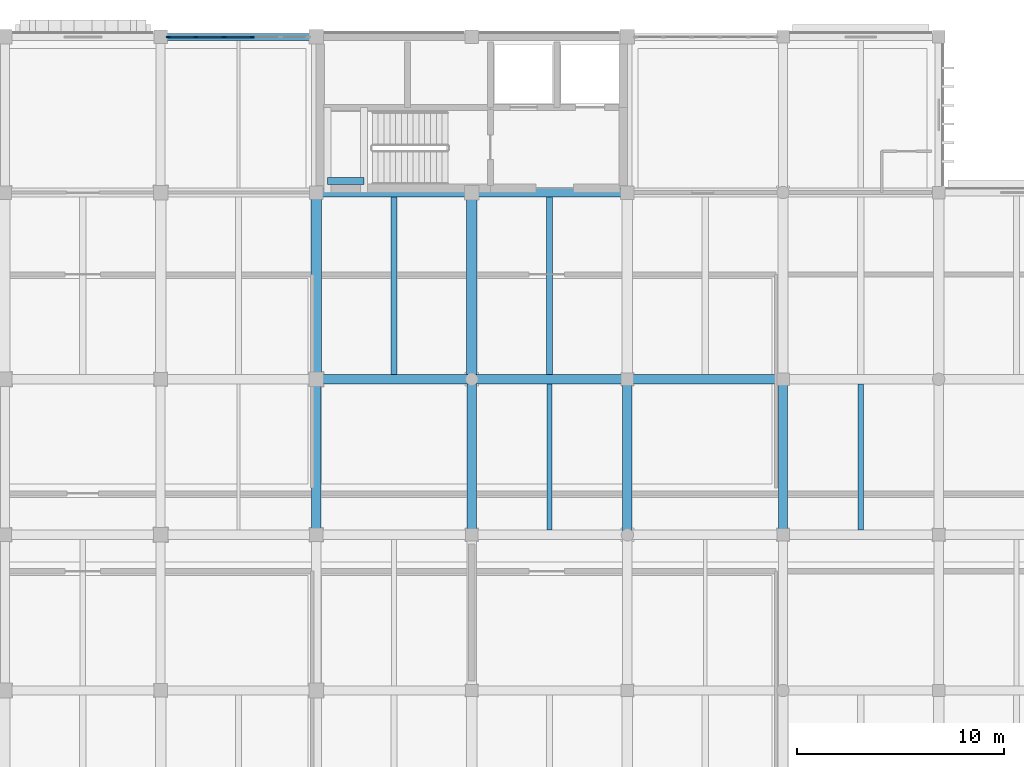
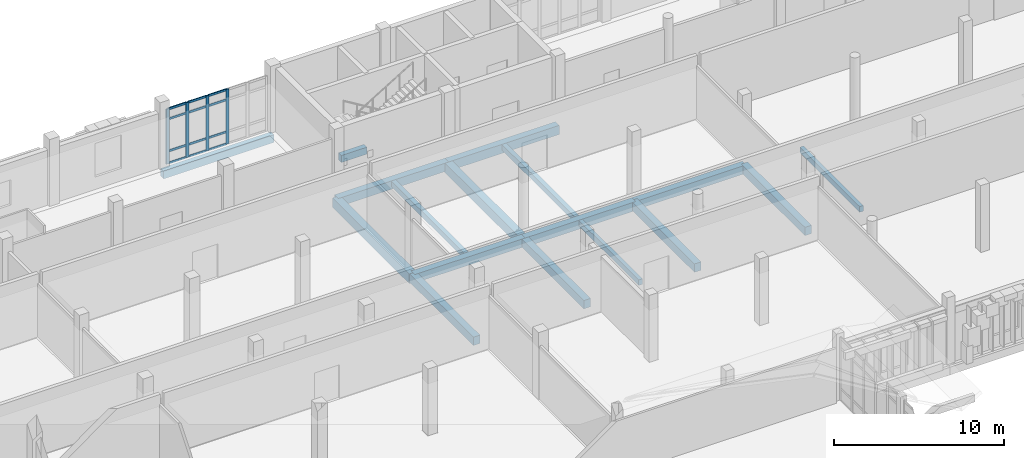
# One storey, part 61 of 131: 17 beams, 16 members, 1 element without a shape of its own.
"""IFC4 building model written with IfcOpenShell, lengths in metres."""

from ifc_helpers import new_model, si_unit, direction, frame, origin, origin_2d, place, context, subcontext, project, spatial, rectangle, extrude, material, layer, layer_set, material_profile, profile_set, type_object, element, aggregate, save


model = new_model("IFC4")

# Units and contexts
model_context = context("Model", 3, precision=1e-05, world=origin(), true_north=direction((0.0, 1.0)))
body_context = subcontext(model_context, "Body", "Model", "MODEL_VIEW")
ifc_project = project(units=[si_unit("LENGTHUNIT", "METRE"), si_unit("AREAUNIT", "SQUARE_METRE"), si_unit("VOLUMEUNIT", "CUBIC_METRE"), si_unit("PLANEANGLEUNIT", "RADIAN"), si_unit("MASSUNIT", "GRAM", prefix="KILO")], contexts=[model_context])

# Site, building, storey
site_placement = place(None, origin())
site = spatial("IfcSite", under=ifc_project, at=site_placement, CompositionType="ELEMENT")
building_placement = place(site_placement, origin())
building = spatial("IfcBuilding", under=site, at=building_placement, Name="Dalvernix Boulevard General Hospital", CompositionType="ELEMENT")
storey_placement = place(building_placement, frame((0.0, 0.0, 9.300048828125)))
storey = spatial("IfcBuildingStorey", under=building, at=storey_placement, Name="L02", CompositionType="ELEMENT", Elevation=9.300048828125)

# Beams
ifc_material_1 = material(Name="Concrete C35/45", Category="concrete")
ifc_material_profile_1 = material_profile(ifc_material_1, rectangle(XDim=0.5, YDim=0.699951171875, at=origin_2d()), Name="RCB 500x700")
ifc_profile_set_1 = profile_set([ifc_material_profile_1], Name="Concrete C35/45")
beam_type_1 = type_object("IfcBeamType", Name="BM-B-01-I", PredefinedType="BEAM", material=ifc_profile_set_1)
for number, where, z_axis, x_axis, name in (
    (1, (97.5, 100.5, -0.670166015625), (0.0, 1.0, 0.0), (-1.0, 0.0, 0.0), "L02 N-S girder 14:P-Q"),
    (2, (105.0, 100.5, -0.670166015625), (0.0, 1.0, 0.0), (-1.0, 0.0, 0.0), "L02 N-S girder 15:P-Q"),
):
    element("IfcBeam", number, at=place(storey_placement, frame(where, z_axis=z_axis, x_axis=x_axis)), inside=storey, type_object=beam_type_1, Name=name, PredefinedType="BEAM", context=body_context, shape_type="SweptSolid", body=[
        extrude(rectangle(XDim=0.5, YDim=0.699951171875, at=origin_2d()), origin(), (0.0, 0.0, 1.0), 9.0),
    ])
ifc_material_profile_2 = material_profile(ifc_material_1, rectangle(XDim=0.449951171875, YDim=0.64990234375, at=origin_2d()), Name="RCB 450x650")
ifc_profile_set_2 = profile_set([ifc_material_profile_2], Name="Concrete C35/45")
beam_type_2 = type_object("IfcBeamType", Name="BM-B-03-I", PredefinedType="BEAM", material=ifc_profile_set_2)
for number, where, z_axis, x_axis, name in (
    (3, (105.0, 100.5, -0.64501953125), (1.0, 0.0, 0.0), (0.0, 1.0, 0.0), "L02 E-W girder P:15-16"),
    (4, (105.0, 109.5, -0.64501953125), (1.0, 0.0, 0.0), (0.0, 1.0, 0.0), "L02 E-W girder Q:15-16"),
):
    element("IfcBeam", number, at=place(storey_placement, frame(where, z_axis=z_axis, x_axis=x_axis)), inside=storey, type_object=beam_type_2, Name=name, PredefinedType="BEAM", context=body_context, shape_type="SweptSolid", body=[
        extrude(rectangle(XDim=0.449951171875, YDim=0.64990234375, at=origin_2d()), origin(), (0.0, 0.0, 1.0), 7.5),
    ])
ifc_material_profile_3 = material_profile(ifc_material_1, rectangle(XDim=0.449951171875, YDim=0.60009765625, at=origin_2d()), Name="RCB 450x600")
ifc_profile_set_3 = profile_set([ifc_material_profile_3], Name="Concrete C35/45")
beam_type_3 = type_object("IfcBeamType", Name="BM-B-04-I", PredefinedType="BEAM", material=ifc_profile_set_3)
for number, where, z_axis, x_axis, name in (
    (5, (97.5, 100.5, -0.6201171875), (1.0, 0.0, 0.0), (0.0, 1.0, 0.0), "L02 E-W girder P:14-15"),
    (6, (112.5, 100.5, -0.6201171875), (1.0, 0.0, 0.0), (0.0, 1.0, 0.0), "L02 E-W girder P:16-17"),
    (7, (97.5, 109.5, -0.6201171875), (1.0, 0.0, 0.0), (0.0, 1.0, 0.0), "L02 E-W girder Q:14-15"),
    (8, (97.5, 93.0, -0.6201171875), (0.0, 1.0, 0.0), (-1.0, 0.0, 0.0), "L02 N-S girder 14:N-P"),
    (9, (105.0, 93.0, -0.6201171875), (0.0, 1.0, 0.0), (-1.0, 0.0, 0.0), "L02 N-S girder 15:N-P"),
    (10, (112.5, 93.0, -0.6201171875), (0.0, 1.0, 0.0), (-1.0, 0.0, 0.0), "L02 N-S girder 16:N-P"),
    (11, (120.0, 93.0, -0.6201171875), (0.0, 1.0, 0.0), (-1.0, 0.0, 0.0), "L02 N-S girder 17:N-P"),
):
    element("IfcBeam", number, at=place(storey_placement, frame(where, z_axis=z_axis, x_axis=x_axis)), inside=storey, type_object=beam_type_3, Name=name, PredefinedType="BEAM", context=body_context, shape_type="SweptSolid", body=[
        extrude(rectangle(XDim=0.449951171875, YDim=0.60009765625, at=origin_2d()), origin(), (0.0, 0.0, 1.0), 7.5),
    ])
ifc_material_profile_4 = material_profile(ifc_material_1, rectangle(XDim=0.35009765625, YDim=0.5, at=origin_2d()), Name="RCB 350x500")
ifc_profile_set_4 = profile_set([ifc_material_profile_4], Name="Concrete C35/45")
beam_type_4 = type_object("IfcBeamType", Name="BM-B-08", PredefinedType="BEAM", material=ifc_profile_set_4)
beam_1_placement = place(storey_placement, frame((98.050048828125, 110.050048828125, 1.949951171875), z_axis=(1.0, 0.0, 0.0), x_axis=(0.0, 1.0, 0.0)))
element("IfcBeam", 12, at=beam_1_placement, inside=storey, type_object=beam_type_4, Name="L02 C4 stair half-landing tie beam", PredefinedType="BEAM", context=body_context, shape_type="SweptSolid", body=[
    extrude(rectangle(XDim=0.35009765625, YDim=0.5, at=origin_2d()), origin(), (0.0, 0.0, 1.0), 1.75),
])
ifc_material_profile_5 = material_profile(ifc_material_1, rectangle(XDim=0.300048828125, YDim=0.39990234375, at=origin_2d()), Name="RCB 300x400")
ifc_profile_set_5 = profile_set([ifc_material_profile_5], Name="Concrete C35/45")
beam_type_5 = type_object("IfcBeamType", Name="BM-JB-01", PredefinedType="JOIST", material=ifc_profile_set_5)
for number, where, z_axis, x_axis, name in (
    (13, (101.25, 100.72509765625, -0.52001953125), (0.0, 1.0, 0.0), (-1.0, 0.0, 0.0), "L02 secondary floor beam 14-P"),
    (14, (108.75, 100.72509765625, -0.52001953125), (0.0, 1.0, 0.0), (-1.0, 0.0, 0.0), "L02 secondary floor beam 15-P"),
):
    element("IfcBeam", number, at=place(storey_placement, frame(where, z_axis=z_axis, x_axis=x_axis)), inside=storey, type_object=beam_type_5, Name=name, PredefinedType="JOIST", context=body_context, shape_type="SweptSolid", body=[
        extrude(rectangle(XDim=0.300048828125, YDim=0.39990234375, at=origin_2d()), origin(), (0.0, 0.0, 1.0), 8.5498046875),
    ])
ifc_material_profile_6 = material_profile(ifc_material_1, rectangle(XDim=0.25, YDim=0.39990234375, at=origin_2d()), Name="RCB 250x400")
ifc_profile_set_6 = profile_set([ifc_material_profile_6], Name="Concrete C35/45")
beam_type_6 = type_object("IfcBeamType", Name="BM-JB-02", PredefinedType="JOIST", material=ifc_profile_set_6)
for number, where, z_axis, x_axis, name in (
    (15, (108.75, 93.22509765625, -0.52001953125), (0.0, 1.0, 0.0), (-1.0, 0.0, 0.0), "L02 secondary floor beam 15-N"),
    (16, (123.75, 93.22509765625, -0.52001953125), (0.0, 1.0, 0.0), (-1.0, 0.0, 0.0), "L02 secondary floor beam 17-N"),
):
    element("IfcBeam", number, at=place(storey_placement, frame(where, z_axis=z_axis, x_axis=x_axis)), inside=storey, type_object=beam_type_6, Name=name, PredefinedType="JOIST", context=body_context, shape_type="SweptSolid", body=[
        extrude(rectangle(XDim=0.25, YDim=0.39990234375, at=origin_2d()), origin(), (0.0, 0.0, 1.0), 7.0498046875),
    ])
ifc_material_profile_7 = material_profile(ifc_material_1, rectangle(XDim=0.35009765625, YDim=0.550048828125, at=origin_2d()), Name="RCB 350x550")
ifc_profile_set_7 = profile_set([ifc_material_profile_7], Name="Concrete C35/45")
beam_type_7 = type_object("IfcBeamType", Name="BM-SB-01-E", PredefinedType="SPANDREL", material=ifc_profile_set_7)
beam_2_placement = place(storey_placement, frame((90.0, 117.0, -0.594970703125), z_axis=(1.0, 0.0, 0.0), x_axis=(0.0, 1.0, 0.0)))
element("IfcBeam", 17, at=beam_2_placement, inside=storey, type_object=beam_type_7, Name="L02 E-W girder R:13-14", PredefinedType="SPANDREL", context=body_context, shape_type="SweptSolid", body=[
    extrude(rectangle(XDim=0.35009765625, YDim=0.550048828125, at=origin_2d()), origin(), (0.0, 0.0, 1.0), 7.5),
])

# Curtain wall, members
ifc_material_2 = material(Name="Thermally broken aluminium and solar-control glass curtain wall", Category="aluminium")
ifc_layer = layer(ifc_material_2, 0.199951171875)
ifc_layer_set = layer_set([ifc_layer], Name="Thermally broken aluminium and solar-control glass curtain wall (CW-CW-C-68x40)")
curtain_wall_type = type_object("IfcCurtainWallType", Name="CW-CW-C-68x40", PredefinedType="USERDEFINED", material=ifc_layer_set)
curtain_wall_placement = place(storey_placement, origin())
curtain_wall = element("IfcCurtainWall", 18, at=curtain_wall_placement, inside=storey, type_object=curtain_wall_type, Name="L02 curtain wall CW-C-68x40 12-15", ObjectType="GLAZED FACADE", PredefinedType="USERDEFINED")
ifc_material_3 = material(Name="Aluminium EN AW-6060", Category="aluminium")
ifc_material_profile_8 = material_profile(ifc_material_3, rectangle(XDim=0.070068359375, YDim=0.199951171875, at=origin_2d()), Name="ALU MULL 70x200")
ifc_profile_set_8 = profile_set([ifc_material_profile_8], Name="Aluminium EN AW-6060")
member_type_1 = type_object("IfcMemberType", Name="MEM-CW-M3", PredefinedType="MULLION", material=ifc_profile_set_8)
member_1_placement = place(storey_placement, frame((90.3701171875, 117.0, 0.0), z_axis=(0.0, 0.0, 1.0), x_axis=(0.0, 1.0, 0.0)))
member_1 = element("IfcMember", 19, at=member_1_placement, type_object=member_type_1, Name="CW-C-68x40 mullion 1", PredefinedType="MULLION", context=body_context, shape_type="SweptSolid", body=[
    extrude(rectangle(XDim=0.070068359375, YDim=0.199951171875, at=origin_2d()), origin(), (0.0, 0.0, 1.0), 3.949951171875),
])
member_2_placement = place(storey_placement, frame((91.696044921875, 117.0, 0.0), z_axis=(0.0, 0.0, 1.0), x_axis=(0.0, 1.0, 0.0)))
member_2 = element("IfcMember", 20, at=member_2_placement, type_object=member_type_1, Name="CW-C-68x40 mullion 2", PredefinedType="MULLION", context=body_context, shape_type="SweptSolid", body=[
    extrude(rectangle(XDim=0.070068359375, YDim=0.199951171875, at=origin_2d()), origin(), (0.0, 0.0, 1.0), 3.949951171875),
])
member_3_placement = place(storey_placement, frame((93.056884765625, 117.0, 0.0), z_axis=(0.0, 0.0, 1.0), x_axis=(0.0, 1.0, 0.0)))
member_3 = element("IfcMember", 21, at=member_3_placement, type_object=member_type_1, Name="CW-C-68x40 mullion 3", PredefinedType="MULLION", context=body_context, shape_type="SweptSolid", body=[
    extrude(rectangle(XDim=0.070068359375, YDim=0.199951171875, at=origin_2d()), origin(), (0.0, 0.0, 1.0), 3.949951171875),
])
member_4_placement = place(storey_placement, frame((94.41796875, 117.0, 0.0), z_axis=(0.0, 0.0, 1.0), x_axis=(0.0, 1.0, 0.0)))
member_4 = element("IfcMember", 22, at=member_4_placement, type_object=member_type_1, Name="CW-C-68x40 mullion 4", PredefinedType="MULLION", context=body_context, shape_type="SweptSolid", body=[
    extrude(rectangle(XDim=0.070068359375, YDim=0.199951171875, at=origin_2d()), origin(), (0.0, 0.0, 1.0), 3.949951171875),
])
ifc_material_profile_9 = material_profile(ifc_material_3, rectangle(XDim=0.070068359375, YDim=0.14990234375, at=origin_2d()), Name="ALU TRAN 70x150")
ifc_profile_set_9 = profile_set([ifc_material_profile_9], Name="Aluminium EN AW-6060")
member_type_2 = type_object("IfcMemberType", Name="MEM-CW-T3", PredefinedType="USERDEFINED", material=ifc_profile_set_9)
member_5_placement = place(storey_placement, frame((90.405029296875, 117.0, 0.034912109375), z_axis=(1.0, 0.0, 0.0), x_axis=(0.0, 1.0, 0.0)))
member_5 = element("IfcMember", 23, at=member_5_placement, type_object=member_type_2, Name="CW-C-68x40 transom 1.1", ObjectType="TRANSOM", PredefinedType="USERDEFINED", context=body_context, shape_type="SweptSolid", body=[
    extrude(rectangle(XDim=0.070068359375, YDim=0.14990234375, at=origin_2d()), origin(), (0.0, 0.0, 1.0), 1.255859375),
])
member_6_placement = place(storey_placement, frame((90.405029296875, 117.0, 0.89990234375), z_axis=(1.0, 0.0, 0.0), x_axis=(0.0, 1.0, 0.0)))
member_6 = element("IfcMember", 24, at=member_6_placement, type_object=member_type_2, Name="CW-C-68x40 transom 1.2", ObjectType="TRANSOM", PredefinedType="USERDEFINED", context=body_context, shape_type="SweptSolid", body=[
    extrude(rectangle(XDim=0.070068359375, YDim=0.14990234375, at=origin_2d()), origin(), (0.0, 0.0, 1.0), 1.255859375),
])
member_7_placement = place(storey_placement, frame((90.405029296875, 117.0, 3.199951171875), z_axis=(1.0, 0.0, 0.0), x_axis=(0.0, 1.0, 0.0)))
member_7 = element("IfcMember", 25, at=member_7_placement, type_object=member_type_2, Name="CW-C-68x40 transom 1.3", ObjectType="TRANSOM", PredefinedType="USERDEFINED", context=body_context, shape_type="SweptSolid", body=[
    extrude(rectangle(XDim=0.070068359375, YDim=0.14990234375, at=origin_2d()), origin(), (0.0, 0.0, 1.0), 1.255859375),
])
member_8_placement = place(storey_placement, frame((90.405029296875, 117.0, 3.9150390625), z_axis=(1.0, 0.0, 0.0), x_axis=(0.0, 1.0, 0.0)))
member_8 = element("IfcMember", 26, at=member_8_placement, type_object=member_type_2, Name="CW-C-68x40 transom 1.4", ObjectType="TRANSOM", PredefinedType="USERDEFINED", context=body_context, shape_type="SweptSolid", body=[
    extrude(rectangle(XDim=0.070068359375, YDim=0.14990234375, at=origin_2d()), origin(), (0.0, 0.0, 1.0), 1.255859375),
])
member_9_placement = place(storey_placement, frame((91.73095703125, 117.0, 0.034912109375), z_axis=(1.0, 0.0, 0.0), x_axis=(0.0, 1.0, 0.0)))
member_9 = element("IfcMember", 27, at=member_9_placement, type_object=member_type_2, Name="CW-C-68x40 transom 2.1", ObjectType="TRANSOM", PredefinedType="USERDEFINED", context=body_context, shape_type="SweptSolid", body=[
    extrude(rectangle(XDim=0.070068359375, YDim=0.14990234375, at=origin_2d()), origin(), (0.0, 0.0, 1.0), 1.291015625),
])
member_10_placement = place(storey_placement, frame((91.73095703125, 117.0, 0.89990234375), z_axis=(1.0, 0.0, 0.0), x_axis=(0.0, 1.0, 0.0)))
member_10 = element("IfcMember", 28, at=member_10_placement, type_object=member_type_2, Name="CW-C-68x40 transom 2.2", ObjectType="TRANSOM", PredefinedType="USERDEFINED", context=body_context, shape_type="SweptSolid", body=[
    extrude(rectangle(XDim=0.070068359375, YDim=0.14990234375, at=origin_2d()), origin(), (0.0, 0.0, 1.0), 1.291015625),
])
member_11_placement = place(storey_placement, frame((91.73095703125, 117.0, 3.199951171875), z_axis=(1.0, 0.0, 0.0), x_axis=(0.0, 1.0, 0.0)))
member_11 = element("IfcMember", 29, at=member_11_placement, type_object=member_type_2, Name="CW-C-68x40 transom 2.3", ObjectType="TRANSOM", PredefinedType="USERDEFINED", context=body_context, shape_type="SweptSolid", body=[
    extrude(rectangle(XDim=0.070068359375, YDim=0.14990234375, at=origin_2d()), origin(), (0.0, 0.0, 1.0), 1.291015625),
])
member_12_placement = place(storey_placement, frame((91.73095703125, 117.0, 3.9150390625), z_axis=(1.0, 0.0, 0.0), x_axis=(0.0, 1.0, 0.0)))
member_12 = element("IfcMember", 30, at=member_12_placement, type_object=member_type_2, Name="CW-C-68x40 transom 2.4", ObjectType="TRANSOM", PredefinedType="USERDEFINED", context=body_context, shape_type="SweptSolid", body=[
    extrude(rectangle(XDim=0.070068359375, YDim=0.14990234375, at=origin_2d()), origin(), (0.0, 0.0, 1.0), 1.291015625),
])
member_13_placement = place(storey_placement, frame((93.092041015625, 117.0, 0.034912109375), z_axis=(1.0, 0.0, 0.0), x_axis=(0.0, 1.0, 0.0)))
member_13 = element("IfcMember", 31, at=member_13_placement, type_object=member_type_2, Name="CW-C-68x40 transom 3.1", ObjectType="TRANSOM", PredefinedType="USERDEFINED", context=body_context, shape_type="SweptSolid", body=[
    extrude(rectangle(XDim=0.070068359375, YDim=0.14990234375, at=origin_2d()), origin(), (0.0, 0.0, 1.0), 1.291015625),
])
member_14_placement = place(storey_placement, frame((93.092041015625, 117.0, 0.89990234375), z_axis=(1.0, 0.0, 0.0), x_axis=(0.0, 1.0, 0.0)))
member_14 = element("IfcMember", 32, at=member_14_placement, type_object=member_type_2, Name="CW-C-68x40 transom 3.2", ObjectType="TRANSOM", PredefinedType="USERDEFINED", context=body_context, shape_type="SweptSolid", body=[
    extrude(rectangle(XDim=0.070068359375, YDim=0.14990234375, at=origin_2d()), origin(), (0.0, 0.0, 1.0), 1.291015625),
])
member_15_placement = place(storey_placement, frame((93.092041015625, 117.0, 3.199951171875), z_axis=(1.0, 0.0, 0.0), x_axis=(0.0, 1.0, 0.0)))
member_15 = element("IfcMember", 33, at=member_15_placement, type_object=member_type_2, Name="CW-C-68x40 transom 3.3", ObjectType="TRANSOM", PredefinedType="USERDEFINED", context=body_context, shape_type="SweptSolid", body=[
    extrude(rectangle(XDim=0.070068359375, YDim=0.14990234375, at=origin_2d()), origin(), (0.0, 0.0, 1.0), 1.291015625),
])
member_16_placement = place(storey_placement, frame((93.092041015625, 117.0, 3.9150390625), z_axis=(1.0, 0.0, 0.0), x_axis=(0.0, 1.0, 0.0)))
member_16 = element("IfcMember", 34, at=member_16_placement, type_object=member_type_2, Name="CW-C-68x40 transom 3.4", ObjectType="TRANSOM", PredefinedType="USERDEFINED", context=body_context, shape_type="SweptSolid", body=[
    extrude(rectangle(XDim=0.070068359375, YDim=0.14990234375, at=origin_2d()), origin(), (0.0, 0.0, 1.0), 1.291015625),
])
aggregate(curtain_wall, [member_1, member_2, member_3, member_4, member_5, member_6, member_7, member_8, member_9, member_10, member_11, member_12, member_13, member_14, member_15, member_16])

save(model, "model.ifc")
